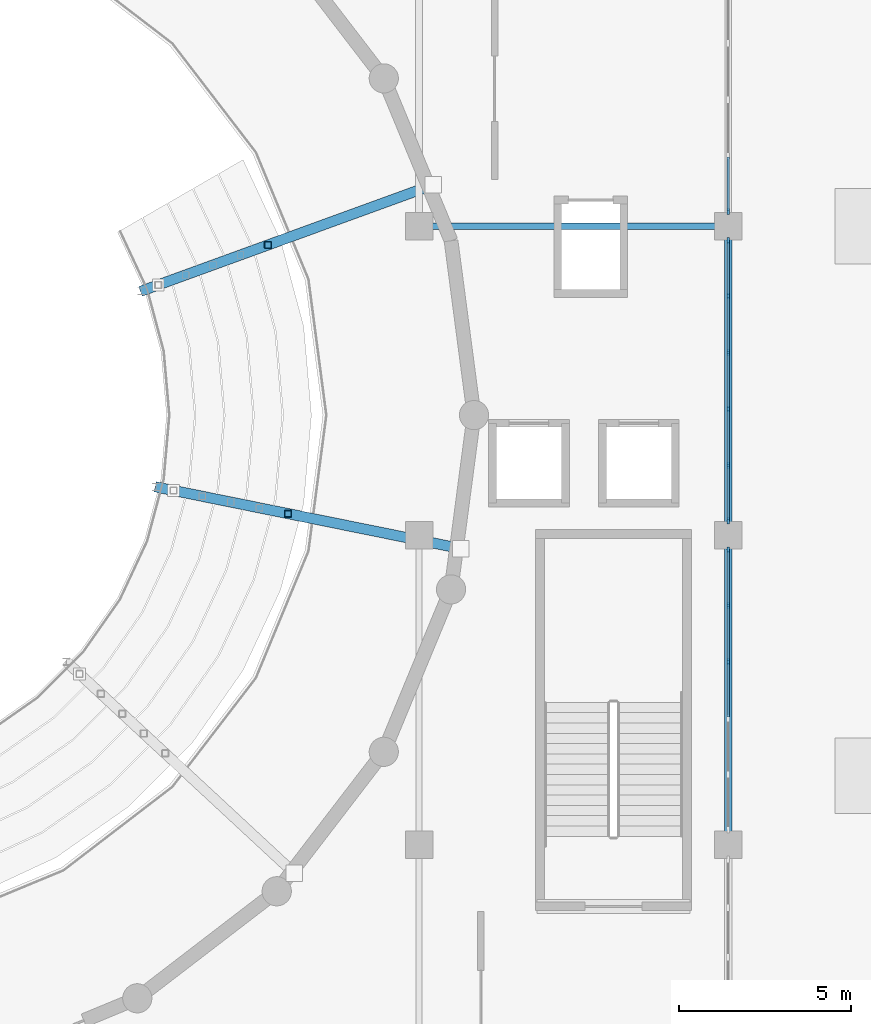
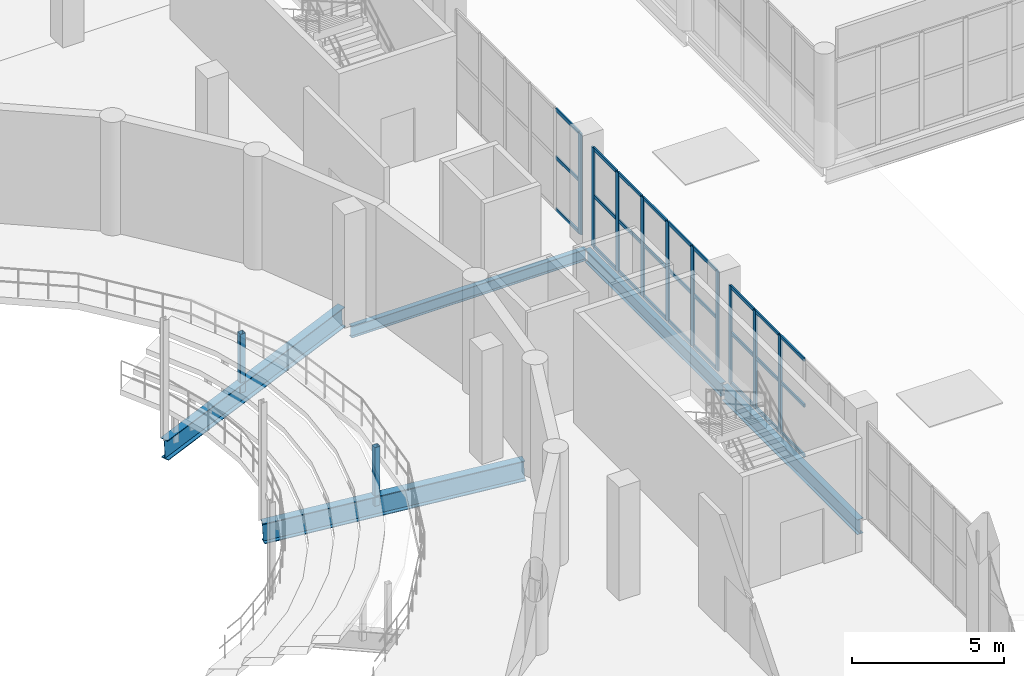
# One storey, part 40 of 93: 39 members, 5 beams, 3 elements without a shape of their own.
"""IFC4 building model written with IfcOpenShell, lengths in metres."""

from ifc_helpers import new_model, si_unit, direction, frame, origin, origin_2d, place, context, subcontext, project, spatial, rectangle, hollow_rectangle, i_section, extrude, material, layer, layer_set, material_profile, profile_set, type_object, element, aggregate, save


model = new_model("IFC4")

# Units and contexts
model_context = context("Model", 3, precision=1e-05, world=origin(), true_north=direction((0.0, 1.0)))
body_context = subcontext(model_context, "Body", "Model", "MODEL_VIEW")
ifc_project = project(units=[si_unit("LENGTHUNIT", "METRE"), si_unit("AREAUNIT", "SQUARE_METRE"), si_unit("VOLUMEUNIT", "CUBIC_METRE"), si_unit("PLANEANGLEUNIT", "RADIAN"), si_unit("MASSUNIT", "GRAM", prefix="KILO")], contexts=[model_context])

# Site, building, storey
site_placement = place(None, origin())
site = spatial("IfcSite", under=ifc_project, at=site_placement, CompositionType="ELEMENT")
building_placement = place(site_placement, origin())
building = spatial("IfcBuilding", under=site, at=building_placement, Name="Marnock Terrace Opera House", CompositionType="ELEMENT")
storey_placement = place(building_placement, frame((0.0, 0.0, 5.39990234375)))
storey = spatial("IfcBuildingStorey", under=building, at=storey_placement, Name="L01", CompositionType="ELEMENT", Elevation=5.39990234375)

# Beams
ifc_material_1 = material(Name="Steel Grade 350 (AS/NZS 3679.1)", Category="steel")
ifc_material_profile_1 = material_profile(ifc_material_1, i_section(OverallWidth=0.19091796875, OverallDepth=0.46044921875, WebThickness=0.010009765625, FlangeThickness=0.01611328125, FilletRadius=0.011474609375, at=origin_2d()))
ifc_profile_set_1 = profile_set([ifc_material_profile_1], Name="Steel Grade 350 (AS/NZS 3679.1)")
beam_type_1 = type_object("IfcBeamType", Name="BM-GIRD-460A", PredefinedType="BEAM", material=ifc_profile_set_1)
beam_1_placement = place(storey_placement, frame((100.050048828125, 66.0, -0.510009765625), z_axis=(1.0, 0.0, 0.0), x_axis=(0.0, 1.0, 0.0)))
element("IfcBeam", 1, at=beam_1_placement, inside=storey, type_object=beam_type_1, Name="L01 girder (100.0..109.0, Y=66.0)", PredefinedType="BEAM", context=body_context, shape_type="SweptSolid", body=[
    extrude(i_section(OverallWidth=0.19091796875, OverallDepth=0.46044921875, WebThickness=0.010009765625, FlangeThickness=0.01611328125, FilletRadius=0.011474609375, at=origin_2d()), origin(), (0.0, 0.0, 1.0), 8.89990234375),
])
ifc_material_profile_2 = material_profile(ifc_material_1, i_section(OverallWidth=0.208984375, OverallDepth=0.528076171875, WebThickness=0.009521484375, FlangeThickness=0.01318359375, FilletRadius=0.013916015625, at=origin_2d()))
ifc_profile_set_2 = profile_set([ifc_material_profile_2], Name="Steel Grade 350 (AS/NZS 3679.1)")
beam_type_2 = type_object("IfcBeamType", Name="BM-GIRD-530B", PredefinedType="BEAM", material=ifc_profile_set_2)
beam_2_placement = place(storey_placement, frame((109.0, 57.050048828125, -0.5439453125), z_axis=(0.0, 1.0, 0.0), x_axis=(-1.0, 0.0, 0.0)))
element("IfcBeam", 2, at=beam_2_placement, inside=storey, type_object=beam_type_2, Name="L01 girder (X=109.0, 57.0..66.0)", PredefinedType="BEAM", context=body_context, shape_type="SweptSolid", body=[
    extrude(i_section(OverallWidth=0.208984375, OverallDepth=0.528076171875, WebThickness=0.009521484375, FlangeThickness=0.01318359375, FilletRadius=0.013916015625, at=origin_2d()), origin(), (0.0, 0.0, 1.0), 8.89990234375),
])
ifc_material_profile_3 = material_profile(ifc_material_1, i_section(OverallWidth=0.22802734375, OverallDepth=0.60205078125, WebThickness=0.010498046875, FlangeThickness=0.014892578125, FilletRadius=0.013916015625, at=origin_2d()))
ifc_profile_set_3 = profile_set([ifc_material_profile_3], Name="Steel Grade 350 (AS/NZS 3679.1)")
beam_type_3 = type_object("IfcBeamType", Name="BM-GIRD-610C", PredefinedType="BEAM", material=ifc_profile_set_3)
beam_3_placement = place(storey_placement, frame((109.0, 48.050048828125, -0.580810546875), z_axis=(0.0, 1.0, 0.0), x_axis=(-1.0, 0.0, 0.0)))
element("IfcBeam", 3, at=beam_3_placement, inside=storey, type_object=beam_type_3, Name="L01 girder (X=109.0, 48.0..57.0)", PredefinedType="BEAM", context=body_context, shape_type="SweptSolid", body=[
    extrude(i_section(OverallWidth=0.22802734375, OverallDepth=0.60205078125, WebThickness=0.010498046875, FlangeThickness=0.014892578125, FilletRadius=0.013916015625, at=origin_2d()), origin(), (0.0, 0.0, 1.0), 8.89990234375),
])
ifc_material_2 = material(Name="Steel Grade 350 Welded (AS/NZS 3679.2)", Category="steel")
ifc_material_profile_4 = material_profile(ifc_material_2, i_section(OverallWidth=0.300048828125, OverallDepth=0.81591796875, WebThickness=0.013916015625, FlangeThickness=0.028076171875, at=origin_2d()))
ifc_profile_set_4 = profile_set([ifc_material_profile_4], Name="Steel Grade 350 Welded (AS/NZS 3679.2)")
beam_type_4 = type_object("IfcBeamType", Name="BM-RAKER-800", PredefinedType="BEAM", material=ifc_profile_set_4)
beam_4_placement = place(storey_placement, frame((92.3408203125, 58.40966796875, -1.23779296875), z_axis=(0.978614945489, -0.197856150976, 0.056264837924), x_axis=(0.198170076298, 0.980167649364, 0.0)))
element("IfcBeam", 4, at=beam_4_placement, inside=storey, type_object=beam_type_4, Name="L01 Auditorium raker girder 7", PredefinedType="BEAM", context=body_context, shape_type="SweptSolid", body=[
    extrude(i_section(OverallWidth=0.300048828125, OverallDepth=0.81591796875, WebThickness=0.013916015625, FlangeThickness=0.028076171875, at=origin_2d()), origin(), (0.0, 0.0, 1.0), 9.064453125),
])
beam_5_placement = place(storey_placement, frame((91.913818359375, 64.1083984375, -1.23779296875), z_axis=(0.938205492565, 0.341474154817, 0.056265933855), x_axis=(-0.342015970523, 0.939694139551, 0.0)))
element("IfcBeam", 5, at=beam_5_placement, inside=storey, type_object=beam_type_4, Name="L01 Auditorium raker girder 8", PredefinedType="BEAM", context=body_context, shape_type="SweptSolid", body=[
    extrude(i_section(OverallWidth=0.300048828125, OverallDepth=0.81591796875, WebThickness=0.013916015625, FlangeThickness=0.028076171875, at=origin_2d()), origin(), (0.0, 0.0, 1.0), 9.064208984375),
])

# Curtain wall, members
ifc_material_3 = material(Name="Anodised architectural bronze aluminium framing", Category="aluminium")
ifc_layer = layer(ifc_material_3, 0.159912109375)
ifc_layer_set = layer_set([ifc_layer], Name="Anodised architectural bronze aluminium framing")
curtain_wall_type = type_object("IfcCurtainWallType", Name="CW-FOYER-90x45", PredefinedType="NOTDEFINED", material=ifc_layer_set)
curtain_wall_1_placement = place(storey_placement, origin())
curtain_wall_1 = element("IfcCurtainWall", 6, at=curtain_wall_1_placement, inside=storey, type_object=curtain_wall_type, Name="L01 glazed Beaux-Arts colonnade curtain wall CW-V1E-L01-06", PredefinedType="NOTDEFINED")
ifc_material_profile_5 = material_profile(ifc_material_3, rectangle(XDim=0.06494140625, YDim=0.179931640625, at=origin_2d()))
ifc_profile_set_5 = profile_set([ifc_material_profile_5], Name="Anodised architectural bronze aluminium framing")
member_type_1 = type_object("IfcMemberType", Name="CWM-65x180", PredefinedType="MULLION", material=ifc_profile_set_5)
member_1_placement = place(storey_placement, frame((109.0, 53.32080078125, 0.0), z_axis=(0.0, 0.0, 1.0), x_axis=(-1.0, 0.0, 0.0)))
member_1 = element("IfcMember", 7, at=member_1_placement, type_object=member_type_1, Name="CW-27 mullion 4", PredefinedType="MULLION", context=body_context, shape_type="SweptSolid", body=[
    extrude(rectangle(XDim=0.06494140625, YDim=0.179931640625, at=origin_2d()), origin(), (0.0, 0.0, 1.0), 3.908203125),
])
member_2_placement = place(storey_placement, frame((109.0, 54.96240234375, 0.0), z_axis=(0.0, 0.0, 1.0), x_axis=(-1.0, 0.0, 0.0)))
member_2 = element("IfcMember", 8, at=member_2_placement, type_object=member_type_1, Name="CW-27 mullion 5", PredefinedType="MULLION", context=body_context, shape_type="SweptSolid", body=[
    extrude(rectangle(XDim=0.06494140625, YDim=0.179931640625, at=origin_2d()), origin(), (0.0, 0.0, 1.0), 3.908203125),
])
member_3_placement = place(storey_placement, frame((109.0, 56.573974609375, 0.0), z_axis=(0.0, 0.0, 1.0), x_axis=(-1.0, 0.0, 0.0)))
member_3 = element("IfcMember", 9, at=member_3_placement, type_object=member_type_1, Name="CW-27 mullion 6", PredefinedType="MULLION", context=body_context, shape_type="SweptSolid", body=[
    extrude(rectangle(XDim=0.06494140625, YDim=0.179931640625, at=origin_2d()), origin(), (0.0, 0.0, 1.0), 3.908203125),
])

curtain_wall_2_placement = place(storey_placement, origin())
curtain_wall_2 = element("IfcCurtainWall", 10, at=curtain_wall_2_placement, inside=storey, type_object=curtain_wall_type, Name="L01 glazed Beaux-Arts colonnade curtain wall CW-V1E-L01-07", PredefinedType="NOTDEFINED")
member_4_placement = place(storey_placement, frame((109.0, 57.426025390625, 0.0), z_axis=(0.0, 0.0, 1.0), x_axis=(-1.0, 0.0, 0.0)))
member_4 = element("IfcMember", 11, at=member_4_placement, type_object=member_type_1, Name="CW-27 mullion 1", PredefinedType="MULLION", context=body_context, shape_type="SweptSolid", body=[
    extrude(rectangle(XDim=0.06494140625, YDim=0.179931640625, at=origin_2d()), origin(), (0.0, 0.0, 1.0), 3.982177734375),
])
member_5_placement = place(storey_placement, frame((109.0, 59.03759765625, 0.0), z_axis=(0.0, 0.0, 1.0), x_axis=(-1.0, 0.0, 0.0)))
member_5 = element("IfcMember", 12, at=member_5_placement, type_object=member_type_1, Name="CW-27 mullion 2", PredefinedType="MULLION", context=body_context, shape_type="SweptSolid", body=[
    extrude(rectangle(XDim=0.06494140625, YDim=0.179931640625, at=origin_2d()), origin(), (0.0, 0.0, 1.0), 3.982177734375),
])
member_6_placement = place(storey_placement, frame((109.0, 60.67919921875, 0.0), z_axis=(0.0, 0.0, 1.0), x_axis=(-1.0, 0.0, 0.0)))
member_6 = element("IfcMember", 13, at=member_6_placement, type_object=member_type_1, Name="CW-27 mullion 3", PredefinedType="MULLION", context=body_context, shape_type="SweptSolid", body=[
    extrude(rectangle(XDim=0.06494140625, YDim=0.179931640625, at=origin_2d()), origin(), (0.0, 0.0, 1.0), 3.982177734375),
])
member_7_placement = place(storey_placement, frame((109.0, 62.32080078125, 0.0), z_axis=(0.0, 0.0, 1.0), x_axis=(-1.0, 0.0, 0.0)))
member_7 = element("IfcMember", 14, at=member_7_placement, type_object=member_type_1, Name="CW-27 mullion 4", PredefinedType="MULLION", context=body_context, shape_type="SweptSolid", body=[
    extrude(rectangle(XDim=0.06494140625, YDim=0.179931640625, at=origin_2d()), origin(), (0.0, 0.0, 1.0), 3.982177734375),
])
member_8_placement = place(storey_placement, frame((109.0, 63.96240234375, 0.0), z_axis=(0.0, 0.0, 1.0), x_axis=(-1.0, 0.0, 0.0)))
member_8 = element("IfcMember", 15, at=member_8_placement, type_object=member_type_1, Name="CW-27 mullion 5", PredefinedType="MULLION", context=body_context, shape_type="SweptSolid", body=[
    extrude(rectangle(XDim=0.06494140625, YDim=0.179931640625, at=origin_2d()), origin(), (0.0, 0.0, 1.0), 3.982177734375),
])
member_9_placement = place(storey_placement, frame((109.0, 65.573974609375, 0.0), z_axis=(0.0, 0.0, 1.0), x_axis=(-1.0, 0.0, 0.0)))
member_9 = element("IfcMember", 16, at=member_9_placement, type_object=member_type_1, Name="CW-27 mullion 6", PredefinedType="MULLION", context=body_context, shape_type="SweptSolid", body=[
    extrude(rectangle(XDim=0.06494140625, YDim=0.179931640625, at=origin_2d()), origin(), (0.0, 0.0, 1.0), 3.982177734375),
])

# Curtain wall, member
curtain_wall_3_placement = place(storey_placement, origin())
curtain_wall_3 = element("IfcCurtainWall", 17, at=curtain_wall_3_placement, inside=storey, type_object=curtain_wall_type, Name="L01 glazed Beaux-Arts colonnade curtain wall CW-V1E-L01-08", PredefinedType="NOTDEFINED")
member_10_placement = place(storey_placement, frame((109.0, 66.426025390625, 0.0), z_axis=(0.0, 0.0, 1.0), x_axis=(-1.0, 0.0, 0.0)))
member_10 = element("IfcMember", 18, at=member_10_placement, type_object=member_type_1, Name="CW-27 mullion 1", PredefinedType="MULLION", context=body_context, shape_type="SweptSolid", body=[
    extrude(rectangle(XDim=0.06494140625, YDim=0.179931640625, at=origin_2d()), origin(), (0.0, 0.0, 1.0), 4.052734375),
])

# Member
ifc_material_profile_6 = material_profile(ifc_material_3, rectangle(XDim=0.06005859375, YDim=0.1298828125, at=origin_2d()))
ifc_profile_set_6 = profile_set([ifc_material_profile_6], Name="Anodised architectural bronze aluminium framing")
member_type_2 = type_object("IfcMemberType", Name="CWT-60x130", PredefinedType="USERDEFINED", material=ifc_profile_set_6)
member_11_placement = place(storey_placement, frame((109.0, 51.709228515625, 0.030029296875), z_axis=(0.0, 1.0, 0.0), x_axis=(-1.0, 0.0, 0.0)))
member_11 = element("IfcMember", 19, at=member_11_placement, type_object=member_type_2, Name="CW-27 transom 3.1", ObjectType="TRANSOM", PredefinedType="USERDEFINED", context=body_context, shape_type="SweptSolid", body=[
    extrude(rectangle(XDim=0.06005859375, YDim=0.1298828125, at=origin_2d()), origin(), (0.0, 0.0, 1.0), 1.58154296875),
])

member_12_placement = place(storey_placement, frame((109.0, 51.709228515625, 2.0322265625), z_axis=(0.0, 1.0, 0.0), x_axis=(-1.0, 0.0, 0.0)))
member_12 = element("IfcMember", 20, at=member_12_placement, type_object=member_type_2, Name="CW-27 transom 3.2", ObjectType="TRANSOM", PredefinedType="USERDEFINED", context=body_context, shape_type="SweptSolid", body=[
    extrude(rectangle(XDim=0.06005859375, YDim=0.1298828125, at=origin_2d()), origin(), (0.0, 0.0, 1.0), 1.58154296875),
])

member_13_placement = place(storey_placement, frame((109.0, 51.709228515625, 3.878173828125), z_axis=(0.0, 1.0, 0.0), x_axis=(-1.0, 0.0, 0.0)))
member_13 = element("IfcMember", 21, at=member_13_placement, type_object=member_type_2, Name="CW-27 transom 3.3", ObjectType="TRANSOM", PredefinedType="USERDEFINED", context=body_context, shape_type="SweptSolid", body=[
    extrude(rectangle(XDim=0.06005859375, YDim=0.1298828125, at=origin_2d()), origin(), (0.0, 0.0, 1.0), 1.58154296875),
])

member_14_placement = place(storey_placement, frame((109.0, 53.350830078125, 0.030029296875), z_axis=(0.0, 1.0, 0.0), x_axis=(-1.0, 0.0, 0.0)))
member_14 = element("IfcMember", 22, at=member_14_placement, type_object=member_type_2, Name="CW-27 transom 4.1", ObjectType="TRANSOM", PredefinedType="USERDEFINED", context=body_context, shape_type="SweptSolid", body=[
    extrude(rectangle(XDim=0.06005859375, YDim=0.1298828125, at=origin_2d()), origin(), (0.0, 0.0, 1.0), 1.58154296875),
])

member_15_placement = place(storey_placement, frame((109.0, 53.350830078125, 2.0322265625), z_axis=(0.0, 1.0, 0.0), x_axis=(-1.0, 0.0, 0.0)))
member_15 = element("IfcMember", 23, at=member_15_placement, type_object=member_type_2, Name="CW-27 transom 4.2", ObjectType="TRANSOM", PredefinedType="USERDEFINED", context=body_context, shape_type="SweptSolid", body=[
    extrude(rectangle(XDim=0.06005859375, YDim=0.1298828125, at=origin_2d()), origin(), (0.0, 0.0, 1.0), 1.58154296875),
])

member_16_placement = place(storey_placement, frame((109.0, 53.350830078125, 3.878173828125), z_axis=(0.0, 1.0, 0.0), x_axis=(-1.0, 0.0, 0.0)))
member_16 = element("IfcMember", 24, at=member_16_placement, type_object=member_type_2, Name="CW-27 transom 4.3", ObjectType="TRANSOM", PredefinedType="USERDEFINED", context=body_context, shape_type="SweptSolid", body=[
    extrude(rectangle(XDim=0.06005859375, YDim=0.1298828125, at=origin_2d()), origin(), (0.0, 0.0, 1.0), 1.58154296875),
])

member_17_placement = place(storey_placement, frame((109.0, 54.992431640625, 0.030029296875), z_axis=(0.0, 1.0, 0.0), x_axis=(-1.0, 0.0, 0.0)))
member_17 = element("IfcMember", 25, at=member_17_placement, type_object=member_type_2, Name="CW-27 transom 5.1", ObjectType="TRANSOM", PredefinedType="USERDEFINED", context=body_context, shape_type="SweptSolid", body=[
    extrude(rectangle(XDim=0.06005859375, YDim=0.1298828125, at=origin_2d()), origin(), (0.0, 0.0, 1.0), 1.551513671875),
])

member_18_placement = place(storey_placement, frame((109.0, 54.992431640625, 2.0322265625), z_axis=(0.0, 1.0, 0.0), x_axis=(-1.0, 0.0, 0.0)))
member_18 = element("IfcMember", 26, at=member_18_placement, type_object=member_type_2, Name="CW-27 transom 5.2", ObjectType="TRANSOM", PredefinedType="USERDEFINED", context=body_context, shape_type="SweptSolid", body=[
    extrude(rectangle(XDim=0.06005859375, YDim=0.1298828125, at=origin_2d()), origin(), (0.0, 0.0, 1.0), 1.551513671875),
])

member_19_placement = place(storey_placement, frame((109.0, 54.992431640625, 3.878173828125), z_axis=(0.0, 1.0, 0.0), x_axis=(-1.0, 0.0, 0.0)))
member_19 = element("IfcMember", 27, at=member_19_placement, type_object=member_type_2, Name="CW-27 transom 5.3", ObjectType="TRANSOM", PredefinedType="USERDEFINED", context=body_context, shape_type="SweptSolid", body=[
    extrude(rectangle(XDim=0.06005859375, YDim=0.1298828125, at=origin_2d()), origin(), (0.0, 0.0, 1.0), 1.551513671875),
])

aggregate(curtain_wall_1, [member_1, member_2, member_3, member_11, member_12, member_13, member_14, member_15, member_16, member_17, member_18, member_19])

member_20_placement = place(storey_placement, frame((109.0, 57.4560546875, 0.030029296875), z_axis=(0.0, 1.0, 0.0), x_axis=(-1.0, 0.0, 0.0)))
member_20 = element("IfcMember", 28, at=member_20_placement, type_object=member_type_2, Name="CW-27 transom 1.1", ObjectType="TRANSOM", PredefinedType="USERDEFINED", context=body_context, shape_type="SweptSolid", body=[
    extrude(rectangle(XDim=0.06005859375, YDim=0.1298828125, at=origin_2d()), origin(), (0.0, 0.0, 1.0), 1.551513671875),
])

member_21_placement = place(storey_placement, frame((109.0, 57.4560546875, 2.07080078125), z_axis=(0.0, 1.0, 0.0), x_axis=(-1.0, 0.0, 0.0)))
member_21 = element("IfcMember", 29, at=member_21_placement, type_object=member_type_2, Name="CW-27 transom 1.2", ObjectType="TRANSOM", PredefinedType="USERDEFINED", context=body_context, shape_type="SweptSolid", body=[
    extrude(rectangle(XDim=0.06005859375, YDim=0.1298828125, at=origin_2d()), origin(), (0.0, 0.0, 1.0), 1.551513671875),
])

member_22_placement = place(storey_placement, frame((109.0, 57.4560546875, 3.9521484375), z_axis=(0.0, 1.0, 0.0), x_axis=(-1.0, 0.0, 0.0)))
member_22 = element("IfcMember", 30, at=member_22_placement, type_object=member_type_2, Name="CW-27 transom 1.3", ObjectType="TRANSOM", PredefinedType="USERDEFINED", context=body_context, shape_type="SweptSolid", body=[
    extrude(rectangle(XDim=0.06005859375, YDim=0.1298828125, at=origin_2d()), origin(), (0.0, 0.0, 1.0), 1.551513671875),
])

member_23_placement = place(storey_placement, frame((109.0, 59.067626953125, 0.030029296875), z_axis=(0.0, 1.0, 0.0), x_axis=(-1.0, 0.0, 0.0)))
member_23 = element("IfcMember", 31, at=member_23_placement, type_object=member_type_2, Name="CW-27 transom 2.1", ObjectType="TRANSOM", PredefinedType="USERDEFINED", context=body_context, shape_type="SweptSolid", body=[
    extrude(rectangle(XDim=0.06005859375, YDim=0.1298828125, at=origin_2d()), origin(), (0.0, 0.0, 1.0), 1.58154296875),
])

member_24_placement = place(storey_placement, frame((109.0, 59.067626953125, 2.07080078125), z_axis=(0.0, 1.0, 0.0), x_axis=(-1.0, 0.0, 0.0)))
member_24 = element("IfcMember", 32, at=member_24_placement, type_object=member_type_2, Name="CW-27 transom 2.2", ObjectType="TRANSOM", PredefinedType="USERDEFINED", context=body_context, shape_type="SweptSolid", body=[
    extrude(rectangle(XDim=0.06005859375, YDim=0.1298828125, at=origin_2d()), origin(), (0.0, 0.0, 1.0), 1.58154296875),
])

member_25_placement = place(storey_placement, frame((109.0, 59.067626953125, 3.9521484375), z_axis=(0.0, 1.0, 0.0), x_axis=(-1.0, 0.0, 0.0)))
member_25 = element("IfcMember", 33, at=member_25_placement, type_object=member_type_2, Name="CW-27 transom 2.3", ObjectType="TRANSOM", PredefinedType="USERDEFINED", context=body_context, shape_type="SweptSolid", body=[
    extrude(rectangle(XDim=0.06005859375, YDim=0.1298828125, at=origin_2d()), origin(), (0.0, 0.0, 1.0), 1.58154296875),
])

member_26_placement = place(storey_placement, frame((109.0, 60.709228515625, 0.030029296875), z_axis=(0.0, 1.0, 0.0), x_axis=(-1.0, 0.0, 0.0)))
member_26 = element("IfcMember", 34, at=member_26_placement, type_object=member_type_2, Name="CW-27 transom 3.1", ObjectType="TRANSOM", PredefinedType="USERDEFINED", context=body_context, shape_type="SweptSolid", body=[
    extrude(rectangle(XDim=0.06005859375, YDim=0.1298828125, at=origin_2d()), origin(), (0.0, 0.0, 1.0), 1.58154296875),
])

member_27_placement = place(storey_placement, frame((109.0, 60.709228515625, 2.07080078125), z_axis=(0.0, 1.0, 0.0), x_axis=(-1.0, 0.0, 0.0)))
member_27 = element("IfcMember", 35, at=member_27_placement, type_object=member_type_2, Name="CW-27 transom 3.2", ObjectType="TRANSOM", PredefinedType="USERDEFINED", context=body_context, shape_type="SweptSolid", body=[
    extrude(rectangle(XDim=0.06005859375, YDim=0.1298828125, at=origin_2d()), origin(), (0.0, 0.0, 1.0), 1.58154296875),
])

member_28_placement = place(storey_placement, frame((109.0, 60.709228515625, 3.9521484375), z_axis=(0.0, 1.0, 0.0), x_axis=(-1.0, 0.0, 0.0)))
member_28 = element("IfcMember", 36, at=member_28_placement, type_object=member_type_2, Name="CW-27 transom 3.3", ObjectType="TRANSOM", PredefinedType="USERDEFINED", context=body_context, shape_type="SweptSolid", body=[
    extrude(rectangle(XDim=0.06005859375, YDim=0.1298828125, at=origin_2d()), origin(), (0.0, 0.0, 1.0), 1.58154296875),
])

member_29_placement = place(storey_placement, frame((109.0, 62.350830078125, 0.030029296875), z_axis=(0.0, 1.0, 0.0), x_axis=(-1.0, 0.0, 0.0)))
member_29 = element("IfcMember", 37, at=member_29_placement, type_object=member_type_2, Name="CW-27 transom 4.1", ObjectType="TRANSOM", PredefinedType="USERDEFINED", context=body_context, shape_type="SweptSolid", body=[
    extrude(rectangle(XDim=0.06005859375, YDim=0.1298828125, at=origin_2d()), origin(), (0.0, 0.0, 1.0), 1.58154296875),
])

member_30_placement = place(storey_placement, frame((109.0, 62.350830078125, 2.07080078125), z_axis=(0.0, 1.0, 0.0), x_axis=(-1.0, 0.0, 0.0)))
member_30 = element("IfcMember", 38, at=member_30_placement, type_object=member_type_2, Name="CW-27 transom 4.2", ObjectType="TRANSOM", PredefinedType="USERDEFINED", context=body_context, shape_type="SweptSolid", body=[
    extrude(rectangle(XDim=0.06005859375, YDim=0.1298828125, at=origin_2d()), origin(), (0.0, 0.0, 1.0), 1.58154296875),
])

member_31_placement = place(storey_placement, frame((109.0, 62.350830078125, 3.9521484375), z_axis=(0.0, 1.0, 0.0), x_axis=(-1.0, 0.0, 0.0)))
member_31 = element("IfcMember", 39, at=member_31_placement, type_object=member_type_2, Name="CW-27 transom 4.3", ObjectType="TRANSOM", PredefinedType="USERDEFINED", context=body_context, shape_type="SweptSolid", body=[
    extrude(rectangle(XDim=0.06005859375, YDim=0.1298828125, at=origin_2d()), origin(), (0.0, 0.0, 1.0), 1.58154296875),
])

member_32_placement = place(storey_placement, frame((109.0, 63.992431640625, 0.030029296875), z_axis=(0.0, 1.0, 0.0), x_axis=(-1.0, 0.0, 0.0)))
member_32 = element("IfcMember", 40, at=member_32_placement, type_object=member_type_2, Name="CW-27 transom 5.1", ObjectType="TRANSOM", PredefinedType="USERDEFINED", context=body_context, shape_type="SweptSolid", body=[
    extrude(rectangle(XDim=0.06005859375, YDim=0.1298828125, at=origin_2d()), origin(), (0.0, 0.0, 1.0), 1.551513671875),
])

member_33_placement = place(storey_placement, frame((109.0, 63.992431640625, 2.07080078125), z_axis=(0.0, 1.0, 0.0), x_axis=(-1.0, 0.0, 0.0)))
member_33 = element("IfcMember", 41, at=member_33_placement, type_object=member_type_2, Name="CW-27 transom 5.2", ObjectType="TRANSOM", PredefinedType="USERDEFINED", context=body_context, shape_type="SweptSolid", body=[
    extrude(rectangle(XDim=0.06005859375, YDim=0.1298828125, at=origin_2d()), origin(), (0.0, 0.0, 1.0), 1.551513671875),
])

member_34_placement = place(storey_placement, frame((109.0, 63.992431640625, 3.9521484375), z_axis=(0.0, 1.0, 0.0), x_axis=(-1.0, 0.0, 0.0)))
member_34 = element("IfcMember", 42, at=member_34_placement, type_object=member_type_2, Name="CW-27 transom 5.3", ObjectType="TRANSOM", PredefinedType="USERDEFINED", context=body_context, shape_type="SweptSolid", body=[
    extrude(rectangle(XDim=0.06005859375, YDim=0.1298828125, at=origin_2d()), origin(), (0.0, 0.0, 1.0), 1.551513671875),
])

aggregate(curtain_wall_2, [member_4, member_5, member_6, member_7, member_8, member_9, member_20, member_21, member_22, member_23, member_24, member_25, member_26, member_27, member_28, member_29, member_30, member_31, member_32, member_33, member_34])

member_35_placement = place(storey_placement, frame((109.0, 66.4560546875, 0.030029296875), z_axis=(0.0, 1.0, 0.0), x_axis=(-1.0, 0.0, 0.0)))
member_35 = element("IfcMember", 43, at=member_35_placement, type_object=member_type_2, Name="CW-27 transom 1.1", ObjectType="TRANSOM", PredefinedType="USERDEFINED", context=body_context, shape_type="SweptSolid", body=[
    extrude(rectangle(XDim=0.06005859375, YDim=0.1298828125, at=origin_2d()), origin(), (0.0, 0.0, 1.0), 1.551513671875),
])

member_36_placement = place(storey_placement, frame((109.0, 66.4560546875, 2.107421875), z_axis=(0.0, 1.0, 0.0), x_axis=(-1.0, 0.0, 0.0)))
member_36 = element("IfcMember", 44, at=member_36_placement, type_object=member_type_2, Name="CW-27 transom 1.2", ObjectType="TRANSOM", PredefinedType="USERDEFINED", context=body_context, shape_type="SweptSolid", body=[
    extrude(rectangle(XDim=0.06005859375, YDim=0.1298828125, at=origin_2d()), origin(), (0.0, 0.0, 1.0), 1.551513671875),
])

member_37_placement = place(storey_placement, frame((109.0, 66.4560546875, 4.022705078125), z_axis=(0.0, 1.0, 0.0), x_axis=(-1.0, 0.0, 0.0)))
member_37 = element("IfcMember", 45, at=member_37_placement, type_object=member_type_2, Name="CW-27 transom 1.3", ObjectType="TRANSOM", PredefinedType="USERDEFINED", context=body_context, shape_type="SweptSolid", body=[
    extrude(rectangle(XDim=0.06005859375, YDim=0.1298828125, at=origin_2d()), origin(), (0.0, 0.0, 1.0), 1.551513671875),
])

aggregate(curtain_wall_3, [member_10, member_35, member_36, member_37])

# Members
ifc_material_4 = material(Name="Cold-formed Steel Grade C350L0 (AS/NZS 1163)", Category="steel")
ifc_material_profile_7 = material_profile(ifc_material_4, hollow_rectangle(XDim=0.199951171875, YDim=0.199951171875, WallThickness=0.009033203125, InnerFilletRadius=0.009033203125, OuterFilletRadius=0.01806640625, at=origin_2d()))
ifc_profile_set_7 = profile_set([ifc_material_profile_7], Name="Cold-formed Steel Grade C350L0 (AS/NZS 1163)")
member_type_3 = type_object("IfcMemberType", Name="MEM-TRUSS-WEB2", PredefinedType="BRACE", material=ifc_profile_set_7)
for number, where, z_axis, x_axis, name in (
    (46, (96.18798828125, 57.6318359375, -1.0166015625), (0.0, 0.0, 1.0), (1.0, 0.0, 0.0), "L01 Auditorium tier support post 7.5"),
    (47, (95.60205078125, 65.45068359375, -1.0166015625), (0.0, 0.0, 1.0), (1.0, 0.0, 0.0), "L01 Auditorium tier support post 8.5"),
):
    element("IfcMember", number, at=place(storey_placement, frame(where, z_axis=z_axis, x_axis=x_axis)), inside=storey, type_object=member_type_3, Name=name, PredefinedType="BRACE", context=body_context, shape_type="SweptSolid", body=[
        extrude(hollow_rectangle(XDim=0.199951171875, YDim=0.199951171875, WallThickness=0.009033203125, InnerFilletRadius=0.009033203125, OuterFilletRadius=0.01806640625, at=origin_2d()), origin(), (0.0, 0.0, 1.0), 2.351806640625),
    ])

save(model, "model.ifc")
